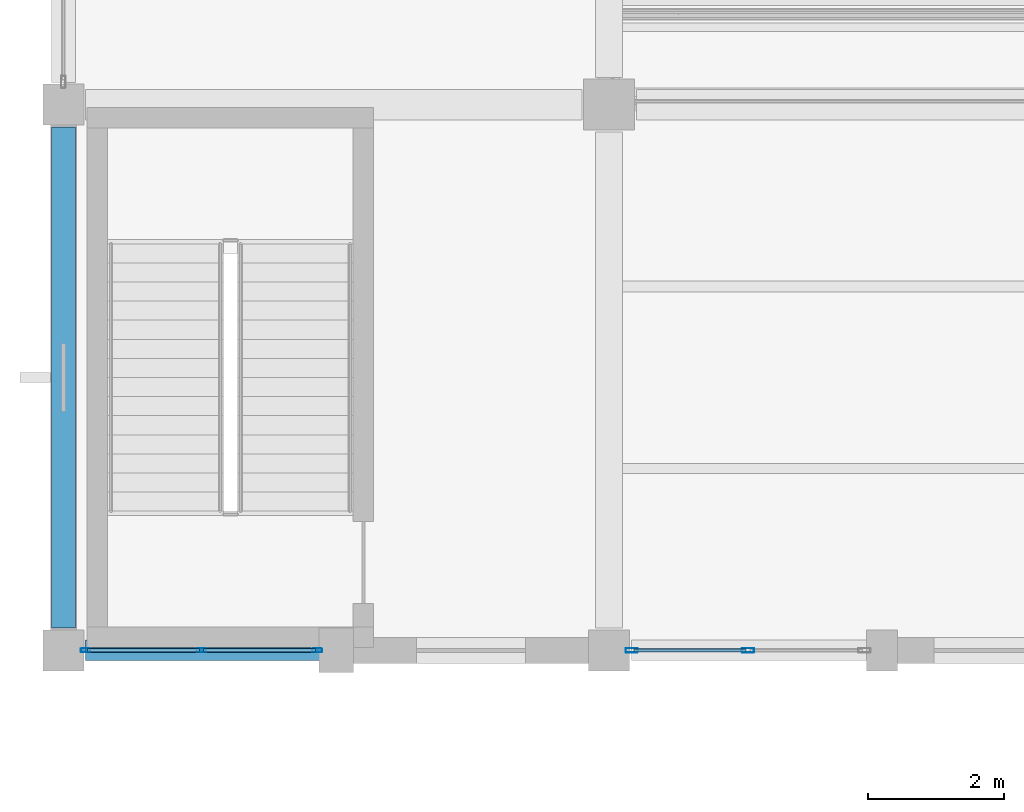
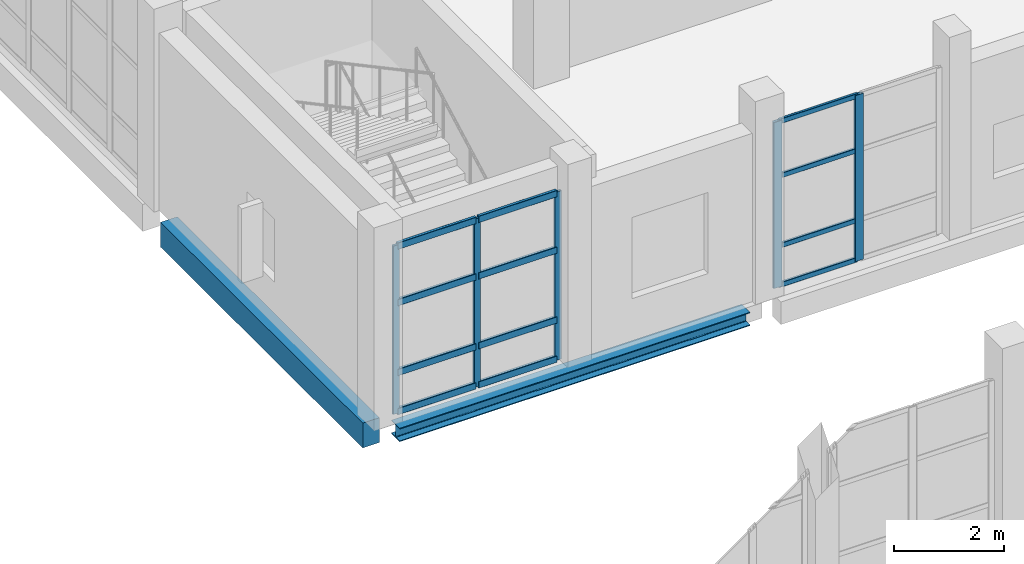
# One storey, part 36 of 183: 17 members, 2 beams, 2 elements without a shape of their own.
"""IFC4 building model written with IfcOpenShell, lengths in metres."""

from ifc_helpers import new_model, si_unit, direction, frame, origin, origin_2d, place, context, subcontext, project, spatial, rectangle, hollow_rectangle, i_section, extrude, material, material_profile, profile_set, type_object, element, aggregate, save


model = new_model("IFC4")

# Units and contexts
model_context = context("Model", 3, precision=1e-05, world=origin(), true_north=direction((0.0, 1.0)))
body_context = subcontext(model_context, "Body", "Model", "MODEL_VIEW")
ifc_project = project(units=[si_unit("LENGTHUNIT", "METRE"), si_unit("AREAUNIT", "SQUARE_METRE"), si_unit("VOLUMEUNIT", "CUBIC_METRE"), si_unit("PLANEANGLEUNIT", "RADIAN"), si_unit("MASSUNIT", "GRAM", prefix="KILO")], contexts=[model_context])

# Site, building, storey
site_placement = place(None, origin())
site = spatial("IfcSite", under=ifc_project, at=site_placement, CompositionType="ELEMENT")
building_placement = place(site_placement, origin())
building = spatial("IfcBuilding", under=site, at=building_placement, Name="Luwemba Playhouse", CompositionType="ELEMENT")
storey_placement = place(building_placement, frame((0.0, 0.0, 4.800048828125)))
storey = spatial("IfcBuildingStorey", under=building, at=storey_placement, Name="L01", CompositionType="ELEMENT", Elevation=4.800048828125)

# Beams
ifc_material_1 = material(Name="Concrete C40/50", Category="concrete")
ifc_material_profile_1 = material_profile(ifc_material_1, rectangle(XDim=0.35009765625, YDim=0.550048828125, at=origin_2d()))
ifc_profile_set_1 = profile_set([ifc_material_profile_1], Name="Concrete C40/50")
beam_type_1 = type_object("IfcBeamType", Name="BM-SP2", PredefinedType="SPANDREL", material=ifc_profile_set_1)
beam_1_placement = place(storey_placement, frame((4.0, 36.324951171875, -0.525146484375), z_axis=(0.0, 1.0, 0.0), x_axis=(-1.0, 0.0, 0.0)))
element("IfcBeam", 1, at=beam_1_placement, inside=storey, type_object=beam_type_1, Name="L01 transverse girder 0356", PredefinedType="SPANDREL", context=body_context, shape_type="SweptSolid", body=[
    extrude(rectangle(XDim=0.35009765625, YDim=0.550048828125, at=origin_2d()), origin(), (0.0, 0.0, 1.0), 7.35009765625),
])
ifc_material_2 = material(Name="Steel S355", Category="steel")
ifc_material_profile_2 = material_profile(ifc_material_2, i_section(OverallWidth=0.300048828125, OverallDepth=0.300048828125, WebThickness=0.010986328125, FlangeThickness=0.01904296875, FilletRadius=0.027099609375, at=origin_2d()))
ifc_profile_set_2 = profile_set([ifc_material_profile_2], Name="Steel S355")
beam_type_2 = type_object("IfcBeamType", Name="BM-SSP1", PredefinedType="SPANDREL", material=ifc_profile_set_2)
beam_2_placement = place(storey_placement, frame((4.324951171875, 36.0, -0.400146484375), z_axis=(1.0, 0.0, 0.0), x_axis=(0.0, 1.0, 0.0)))
element("IfcBeam", 2, at=beam_2_placement, inside=storey, type_object=beam_type_2, Name="L01 grid girder 0339", PredefinedType="SPANDREL", context=body_context, shape_type="SweptSolid", body=[
    extrude(i_section(OverallWidth=0.300048828125, OverallDepth=0.300048828125, WebThickness=0.010986328125, FlangeThickness=0.01904296875, FilletRadius=0.027099609375, at=origin_2d()), origin(), (0.0, 0.0, 1.0), 7.35009765625),
])

# Curtain wall, members
ifc_material_3 = material(Name="Solar-control double glazing", Category="glass")
curtain_wall_type_1 = type_object("IfcCurtainWallType", Name="CW-CW78", PredefinedType="USERDEFINED", material=ifc_material_3)
curtain_wall_1_placement = place(storey_placement, origin())
curtain_wall_1 = element("IfcCurtainWall", 3, at=curtain_wall_1_placement, inside=storey, type_object=curtain_wall_type_1, Name="L01 V1 unitised curtain wall 103", ObjectType="UNITISED GLAZING", PredefinedType="USERDEFINED")
ifc_material_4 = material(Name="Aluminium 6063-T6", Category="aluminium")
ifc_material_profile_3 = material_profile(ifc_material_4, hollow_rectangle(XDim=0.06494140625, YDim=0.179931640625, WallThickness=0.00439453125, InnerFilletRadius=0.0068359375, OuterFilletRadius=0.01123046875, at=origin_2d()))
ifc_profile_set_3 = profile_set([ifc_material_profile_3], Name="Aluminium 6063-T6")
member_type_1 = type_object("IfcMemberType", Name="CWM-M2", PredefinedType="MULLION", material=ifc_profile_set_3)
member_1_placement = place(storey_placement, frame((14.03759765625, 36.0, 0.0), z_axis=(0.0, 0.0, 1.0), x_axis=(0.0, -1.0, 0.0)))
member_1 = element("IfcMember", 4, at=member_1_placement, type_object=member_type_1, Name="CW78 mullion 2", PredefinedType="MULLION", context=body_context, shape_type="SweptSolid", body=[
    extrude(hollow_rectangle(XDim=0.06494140625, YDim=0.179931640625, WallThickness=0.00439453125, InnerFilletRadius=0.0068359375, OuterFilletRadius=0.01123046875, at=origin_2d()), origin(), (0.0, 0.0, 1.0), 3.68505859375),
])
member_2_placement = place(storey_placement, frame((12.33251953125, 36.0, 0.0), z_axis=(0.0, 0.0, 1.0), x_axis=(0.0, -1.0, 0.0)))
member_2 = element("IfcMember", 5, at=member_2_placement, type_object=member_type_1, Name="CW78 mullion 3", PredefinedType="MULLION", context=body_context, shape_type="SweptSolid", body=[
    extrude(hollow_rectangle(XDim=0.06494140625, YDim=0.179931640625, WallThickness=0.00439453125, InnerFilletRadius=0.0068359375, OuterFilletRadius=0.01123046875, at=origin_2d()), origin(), (0.0, 0.0, 1.0), 3.68505859375),
])

curtain_wall_type_2 = type_object("IfcCurtainWallType", Name="CW-CW79", PredefinedType="USERDEFINED", material=ifc_material_3)
curtain_wall_2_placement = place(storey_placement, origin())
curtain_wall_2 = element("IfcCurtainWall", 6, at=curtain_wall_2_placement, inside=storey, type_object=curtain_wall_type_2, Name="L01 V1 unitised curtain wall 104", ObjectType="UNITISED GLAZING", PredefinedType="USERDEFINED")
ifc_material_profile_4 = material_profile(ifc_material_4, hollow_rectangle(XDim=0.054931640625, YDim=0.139892578125, WallThickness=0.00390625, InnerFilletRadius=0.006103515625, OuterFilletRadius=0.010009765625, at=origin_2d()))
ifc_profile_set_4 = profile_set([ifc_material_profile_4], Name="Aluminium 6063-T6")
member_type_2 = type_object("IfcMemberType", Name="CWM-M3", PredefinedType="MULLION", material=ifc_profile_set_4)
member_3_placement = place(storey_placement, frame((7.722412109375, 36.0, 0.0), z_axis=(0.0, 0.0, 1.0), x_axis=(0.0, -1.0, 0.0)))
member_3 = element("IfcMember", 7, at=member_3_placement, type_object=member_type_2, Name="CW79 mullion 1", PredefinedType="MULLION", context=body_context, shape_type="SweptSolid", body=[
    extrude(hollow_rectangle(XDim=0.054931640625, YDim=0.139892578125, WallThickness=0.00390625, InnerFilletRadius=0.006103515625, OuterFilletRadius=0.010009765625, at=origin_2d()), origin(), (0.0, 0.0, 1.0), 3.73486328125),
])
member_4_placement = place(storey_placement, frame((6.02490234375, 36.0, 0.0), z_axis=(0.0, 0.0, 1.0), x_axis=(0.0, -1.0, 0.0)))
member_4 = element("IfcMember", 8, at=member_4_placement, type_object=member_type_2, Name="CW79 mullion 2", PredefinedType="MULLION", context=body_context, shape_type="SweptSolid", body=[
    extrude(hollow_rectangle(XDim=0.054931640625, YDim=0.139892578125, WallThickness=0.00390625, InnerFilletRadius=0.006103515625, OuterFilletRadius=0.010009765625, at=origin_2d()), origin(), (0.0, 0.0, 1.0), 3.73486328125),
])
member_5_placement = place(storey_placement, frame((4.327392578125, 36.0, 0.0), z_axis=(0.0, 0.0, 1.0), x_axis=(0.0, -1.0, 0.0)))
member_5 = element("IfcMember", 9, at=member_5_placement, type_object=member_type_2, Name="CW79 mullion 3", PredefinedType="MULLION", context=body_context, shape_type="SweptSolid", body=[
    extrude(hollow_rectangle(XDim=0.054931640625, YDim=0.139892578125, WallThickness=0.00390625, InnerFilletRadius=0.006103515625, OuterFilletRadius=0.010009765625, at=origin_2d()), origin(), (0.0, 0.0, 1.0), 3.73486328125),
])

# Member
ifc_material_profile_5 = material_profile(ifc_material_4, hollow_rectangle(XDim=0.054931640625, YDim=0.110107421875, WallThickness=0.00341796875, InnerFilletRadius=0.00537109375, OuterFilletRadius=0.0087890625, at=origin_2d()))
ifc_profile_set_5 = profile_set([ifc_material_profile_5], Name="Aluminium 6063-T6")
member_type_3 = type_object("IfcMemberType", Name="CWT-T2", PredefinedType="USERDEFINED", material=ifc_profile_set_5)
member_6_placement = place(storey_placement, frame((14.0048828125, 36.0, 0.02734375), z_axis=(-1.0, 0.0, 0.0), x_axis=(0.0, -1.0, 0.0)))
member_6 = element("IfcMember", 10, at=member_6_placement, type_object=member_type_3, Name="CW78 transom 2.1", ObjectType="TRANSOM", PredefinedType="USERDEFINED", context=body_context, shape_type="SweptSolid", body=[
    extrude(hollow_rectangle(XDim=0.054931640625, YDim=0.110107421875, WallThickness=0.00341796875, InnerFilletRadius=0.00537109375, OuterFilletRadius=0.0087890625, at=origin_2d()), origin(), (0.0, 0.0, 1.0), 1.639892578125),
])

member_7_placement = place(storey_placement, frame((14.0048828125, 36.0, 0.89990234375), z_axis=(-1.0, 0.0, 0.0), x_axis=(0.0, -1.0, 0.0)))
member_7 = element("IfcMember", 11, at=member_7_placement, type_object=member_type_3, Name="CW78 transom 2.2", ObjectType="TRANSOM", PredefinedType="USERDEFINED", context=body_context, shape_type="SweptSolid", body=[
    extrude(hollow_rectangle(XDim=0.054931640625, YDim=0.110107421875, WallThickness=0.00341796875, InnerFilletRadius=0.00537109375, OuterFilletRadius=0.0087890625, at=origin_2d()), origin(), (0.0, 0.0, 1.0), 1.639892578125),
])

member_8_placement = place(storey_placement, frame((14.0048828125, 36.0, 2.449951171875), z_axis=(-1.0, 0.0, 0.0), x_axis=(0.0, -1.0, 0.0)))
member_8 = element("IfcMember", 12, at=member_8_placement, type_object=member_type_3, Name="CW78 transom 2.3", ObjectType="TRANSOM", PredefinedType="USERDEFINED", context=body_context, shape_type="SweptSolid", body=[
    extrude(hollow_rectangle(XDim=0.054931640625, YDim=0.110107421875, WallThickness=0.00341796875, InnerFilletRadius=0.00537109375, OuterFilletRadius=0.0087890625, at=origin_2d()), origin(), (0.0, 0.0, 1.0), 1.639892578125),
])

member_9_placement = place(storey_placement, frame((14.0048828125, 36.0, 3.657470703125), z_axis=(-1.0, 0.0, 0.0), x_axis=(0.0, -1.0, 0.0)))
member_9 = element("IfcMember", 13, at=member_9_placement, type_object=member_type_3, Name="CW78 transom 2.4", ObjectType="TRANSOM", PredefinedType="USERDEFINED", context=body_context, shape_type="SweptSolid", body=[
    extrude(hollow_rectangle(XDim=0.054931640625, YDim=0.110107421875, WallThickness=0.00341796875, InnerFilletRadius=0.00537109375, OuterFilletRadius=0.0087890625, at=origin_2d()), origin(), (0.0, 0.0, 1.0), 1.639892578125),
])

aggregate(curtain_wall_1, [member_1, member_2, member_6, member_7, member_8, member_9])

ifc_material_profile_6 = material_profile(ifc_material_4, hollow_rectangle(XDim=0.06494140625, YDim=0.14990234375, WallThickness=0.00390625, InnerFilletRadius=0.006103515625, OuterFilletRadius=0.010009765625, at=origin_2d()))
ifc_profile_set_6 = profile_set([ifc_material_profile_6], Name="Aluminium 6063-T6")
member_type_4 = type_object("IfcMemberType", Name="CWT-T3", PredefinedType="USERDEFINED", material=ifc_profile_set_6)
member_10_placement = place(storey_placement, frame((7.695068359375, 36.0, 0.032470703125), z_axis=(-1.0, 0.0, 0.0), x_axis=(0.0, -1.0, 0.0)))
member_10 = element("IfcMember", 14, at=member_10_placement, type_object=member_type_4, Name="CW79 transom 1.1", ObjectType="TRANSOM", PredefinedType="USERDEFINED", context=body_context, shape_type="SweptSolid", body=[
    extrude(hollow_rectangle(XDim=0.06494140625, YDim=0.14990234375, WallThickness=0.00390625, InnerFilletRadius=0.006103515625, OuterFilletRadius=0.010009765625, at=origin_2d()), origin(), (0.0, 0.0, 1.0), 1.642578125),
])

member_11_placement = place(storey_placement, frame((7.695068359375, 36.0, 0.89990234375), z_axis=(-1.0, 0.0, 0.0), x_axis=(0.0, -1.0, 0.0)))
member_11 = element("IfcMember", 15, at=member_11_placement, type_object=member_type_4, Name="CW79 transom 1.2", ObjectType="TRANSOM", PredefinedType="USERDEFINED", context=body_context, shape_type="SweptSolid", body=[
    extrude(hollow_rectangle(XDim=0.06494140625, YDim=0.14990234375, WallThickness=0.00390625, InnerFilletRadius=0.006103515625, OuterFilletRadius=0.010009765625, at=origin_2d()), origin(), (0.0, 0.0, 1.0), 1.642578125),
])

member_12_placement = place(storey_placement, frame((7.695068359375, 36.0, 2.449951171875), z_axis=(-1.0, 0.0, 0.0), x_axis=(0.0, -1.0, 0.0)))
member_12 = element("IfcMember", 16, at=member_12_placement, type_object=member_type_4, Name="CW79 transom 1.3", ObjectType="TRANSOM", PredefinedType="USERDEFINED", context=body_context, shape_type="SweptSolid", body=[
    extrude(hollow_rectangle(XDim=0.06494140625, YDim=0.14990234375, WallThickness=0.00390625, InnerFilletRadius=0.006103515625, OuterFilletRadius=0.010009765625, at=origin_2d()), origin(), (0.0, 0.0, 1.0), 1.642578125),
])

member_13_placement = place(storey_placement, frame((7.695068359375, 36.0, 3.702392578125), z_axis=(-1.0, 0.0, 0.0), x_axis=(0.0, -1.0, 0.0)))
member_13 = element("IfcMember", 17, at=member_13_placement, type_object=member_type_4, Name="CW79 transom 1.4", ObjectType="TRANSOM", PredefinedType="USERDEFINED", context=body_context, shape_type="SweptSolid", body=[
    extrude(hollow_rectangle(XDim=0.06494140625, YDim=0.14990234375, WallThickness=0.00390625, InnerFilletRadius=0.006103515625, OuterFilletRadius=0.010009765625, at=origin_2d()), origin(), (0.0, 0.0, 1.0), 1.642578125),
])

member_14_placement = place(storey_placement, frame((5.99755859375, 36.0, 0.032470703125), z_axis=(-1.0, 0.0, 0.0), x_axis=(0.0, -1.0, 0.0)))
member_14 = element("IfcMember", 18, at=member_14_placement, type_object=member_type_4, Name="CW79 transom 2.1", ObjectType="TRANSOM", PredefinedType="USERDEFINED", context=body_context, shape_type="SweptSolid", body=[
    extrude(hollow_rectangle(XDim=0.06494140625, YDim=0.14990234375, WallThickness=0.00390625, InnerFilletRadius=0.006103515625, OuterFilletRadius=0.010009765625, at=origin_2d()), origin(), (0.0, 0.0, 1.0), 1.642578125),
])

member_15_placement = place(storey_placement, frame((5.99755859375, 36.0, 0.89990234375), z_axis=(-1.0, 0.0, 0.0), x_axis=(0.0, -1.0, 0.0)))
member_15 = element("IfcMember", 19, at=member_15_placement, type_object=member_type_4, Name="CW79 transom 2.2", ObjectType="TRANSOM", PredefinedType="USERDEFINED", context=body_context, shape_type="SweptSolid", body=[
    extrude(hollow_rectangle(XDim=0.06494140625, YDim=0.14990234375, WallThickness=0.00390625, InnerFilletRadius=0.006103515625, OuterFilletRadius=0.010009765625, at=origin_2d()), origin(), (0.0, 0.0, 1.0), 1.642578125),
])

member_16_placement = place(storey_placement, frame((5.99755859375, 36.0, 2.449951171875), z_axis=(-1.0, 0.0, 0.0), x_axis=(0.0, -1.0, 0.0)))
member_16 = element("IfcMember", 20, at=member_16_placement, type_object=member_type_4, Name="CW79 transom 2.3", ObjectType="TRANSOM", PredefinedType="USERDEFINED", context=body_context, shape_type="SweptSolid", body=[
    extrude(hollow_rectangle(XDim=0.06494140625, YDim=0.14990234375, WallThickness=0.00390625, InnerFilletRadius=0.006103515625, OuterFilletRadius=0.010009765625, at=origin_2d()), origin(), (0.0, 0.0, 1.0), 1.642578125),
])

member_17_placement = place(storey_placement, frame((5.99755859375, 36.0, 3.702392578125), z_axis=(-1.0, 0.0, 0.0), x_axis=(0.0, -1.0, 0.0)))
member_17 = element("IfcMember", 21, at=member_17_placement, type_object=member_type_4, Name="CW79 transom 2.4", ObjectType="TRANSOM", PredefinedType="USERDEFINED", context=body_context, shape_type="SweptSolid", body=[
    extrude(hollow_rectangle(XDim=0.06494140625, YDim=0.14990234375, WallThickness=0.00390625, InnerFilletRadius=0.006103515625, OuterFilletRadius=0.010009765625, at=origin_2d()), origin(), (0.0, 0.0, 1.0), 1.642578125),
])

aggregate(curtain_wall_2, [member_3, member_4, member_5, member_10, member_11, member_12, member_13, member_14, member_15, member_16, member_17])

save(model, "model.ifc")
